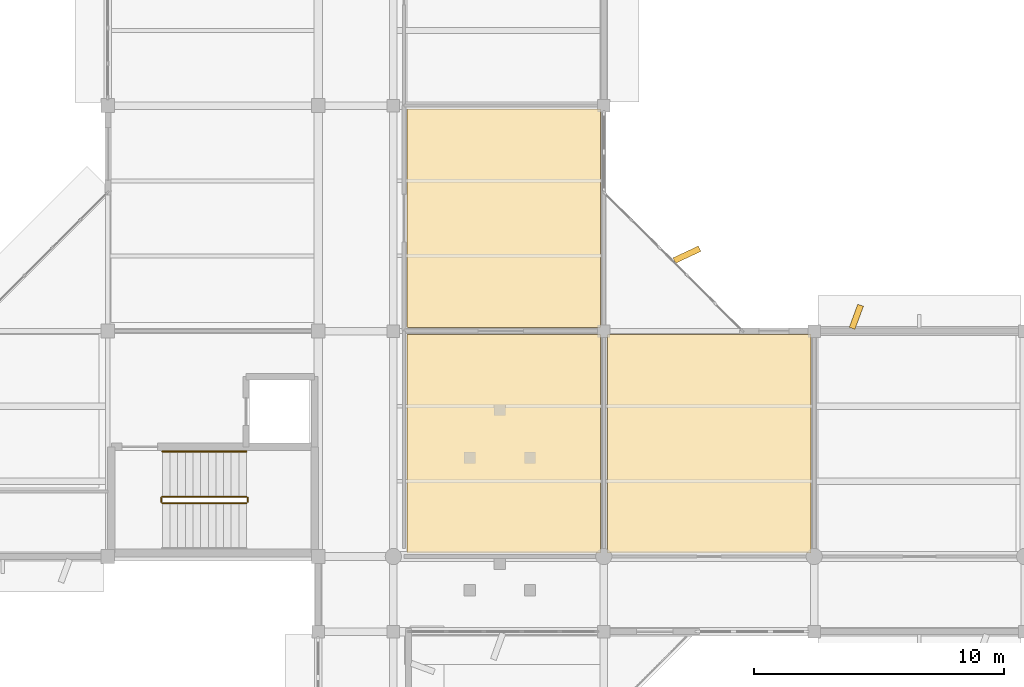
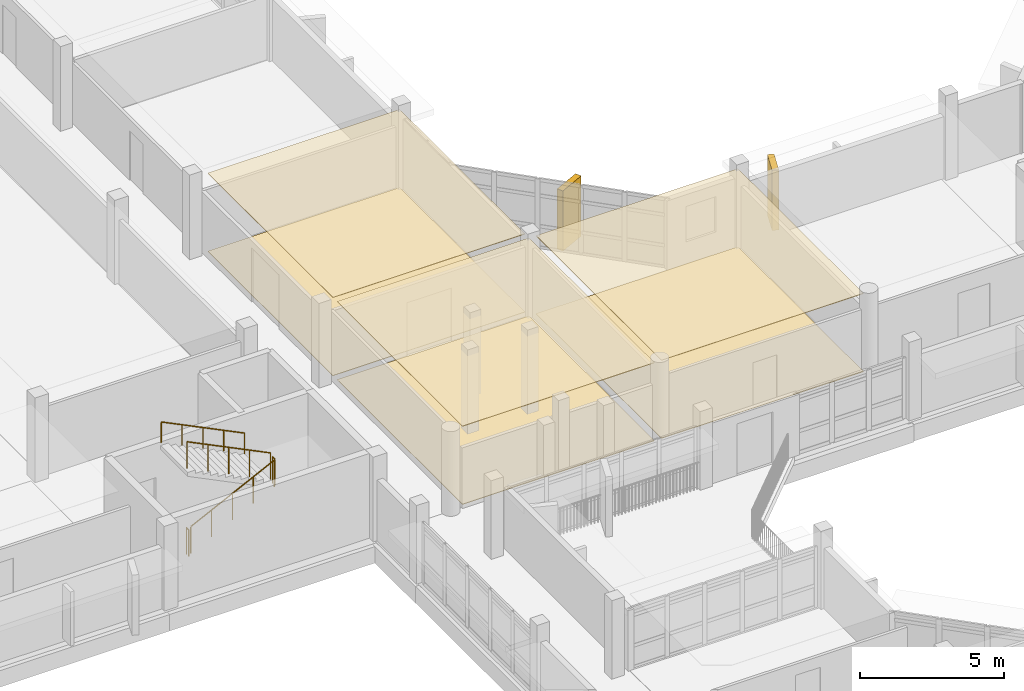
# One storey, part 76 of 92: 8 coverings, 5 railings.
"""IFC4 building model written with IfcOpenShell, lengths in metres."""

from ifc_helpers import new_model, si_unit, direction, frame, origin, origin_2d, place, context, subcontext, project, spatial, polyline, rectangle, circle, outline, extrude, material, layer, layer_set, type_object, element, save


model = new_model("IFC4")

# Units and contexts
model_context = context("Model", 3, precision=1e-05, world=origin(), true_north=direction((0.0, 1.0)))
body_context = subcontext(model_context, "Body", "Model", "MODEL_VIEW")
ifc_project = project(units=[si_unit("LENGTHUNIT", "METRE"), si_unit("AREAUNIT", "SQUARE_METRE"), si_unit("VOLUMEUNIT", "CUBIC_METRE"), si_unit("PLANEANGLEUNIT", "RADIAN"), si_unit("MASSUNIT", "GRAM", prefix="KILO")], contexts=[model_context])

# Site, building, storey
site_placement = place(None, origin())
site = spatial("IfcSite", under=ifc_project, at=site_placement, CompositionType="ELEMENT")
building_placement = place(site_placement, origin())
building = spatial("IfcBuilding", under=site, at=building_placement, Name="Vanh Quang Courtyard School", CompositionType="ELEMENT")
storey_placement = place(building_placement, frame((0.0, 0.0, 7.800048828125)))
storey = spatial("IfcBuildingStorey", under=building, at=storey_placement, Name="L02", CompositionType="ELEMENT", Elevation=7.800048828125)

# Coverings
ifc_material_1 = material(Name="Perforated mineral-fibre acoustic ceiling board")
ifc_layer_1 = layer(ifc_material_1, 0.02490234375)
ifc_layer_set_1 = layer_set([ifc_layer_1], Name="Perforated mineral-fibre acoustic ceiling board")
covering_type_1 = type_object("IfcCoveringType", Name="COV-CEIL-ACOUSTIC", PredefinedType="CEILING", material=ifc_layer_set_1)
covering_1_placement = place(storey_placement, frame((0.0, 0.0, 3.31494140625)))
element("IfcCovering", 1, at=covering_1_placement, inside=storey, type_object=covering_type_1, Name="Covering CV-CL1 (L02)", PredefinedType="CEILING", context=body_context, shape_type="SweptSolid", body=[
    extrude(outline(polyline([(85.659912109375, 41.27001953125), (85.660888671875, 41.27001953125), (85.662109375, 41.269775390625), (85.662841796875, 41.26953125), (85.663818359375, 41.269287109375), (85.664794921875, 41.268798828125), (85.66552734375, 41.268310546875), (85.666259765625, 41.267578125), (85.6669921875, 41.26708984375), (85.667724609375, 41.266357421875), (85.668212890625, 41.265625), (85.668701171875, 41.2646484375), (85.669189453125, 41.263916015625), (85.669677734375, 41.262939453125), (85.669921875, 41.261962890625), (85.669921875, 41.260986328125), (85.669921875, 41.260009765625), (85.669921875, 32.5400390625), (85.669921875, 32.5390625), (85.669921875, 32.5380859375), (85.669677734375, 32.537109375), (85.669189453125, 32.5361328125), (85.668701171875, 32.535400390625), (85.668212890625, 32.534423828125), (85.667724609375, 32.53369140625), (85.6669921875, 32.532958984375), (85.666259765625, 32.5322265625), (85.66552734375, 32.53173828125), (85.664794921875, 32.53125), (85.663818359375, 32.53076171875), (85.662841796875, 32.530517578125), (85.662109375, 32.5302734375), (85.660888671875, 32.530029296875), (85.659912109375, 32.530029296875), (77.9599609375, 32.530029296875), (77.958984375, 32.530029296875), (77.9580078125, 32.5302734375), (77.95703125, 32.530517578125), (77.956298828125, 32.53076171875), (77.955322265625, 32.53125), (77.954345703125, 32.53173828125), (77.95361328125, 32.5322265625), (77.952880859375, 32.532958984375), (77.952392578125, 32.53369140625), (77.95166015625, 32.534423828125), (77.951171875, 32.535400390625), (77.95068359375, 32.5361328125), (77.950439453125, 32.537109375), (77.9501953125, 32.5380859375), (77.949951171875, 32.5390625), (77.949951171875, 32.5400390625), (77.949951171875, 41.260009765625), (77.949951171875, 41.260986328125), (77.9501953125, 41.261962890625), (77.950439453125, 41.262939453125), (77.95068359375, 41.263916015625), (77.951171875, 41.2646484375), (77.95166015625, 41.265625), (77.952392578125, 41.266357421875), (77.952880859375, 41.26708984375), (77.95361328125, 41.267578125), (77.954345703125, 41.268310546875), (77.955322265625, 41.268798828125), (77.956298828125, 41.269287109375), (77.95703125, 41.26953125), (77.9580078125, 41.269775390625), (77.958984375, 41.27001953125), (77.9599609375, 41.27001953125), (85.659912109375, 41.27001953125)])), origin(), (0.0, 0.0, 1.0), 0.02490234375),
])
covering_2_placement = place(storey_placement, frame((0.0, 0.0, 3.31494140625)))
element("IfcCovering", 2, at=covering_2_placement, inside=storey, type_object=covering_type_1, Name="Covering CV-CL1 (L02)", PredefinedType="CEILING", context=body_context, shape_type="SweptSolid", body=[
    extrude(outline(polyline([(77.9599609375, 41.550048828125), (77.958984375, 41.550048828125), (77.9580078125, 41.55029296875), (77.95703125, 41.55029296875), (77.956298828125, 41.55078125), (77.955322265625, 41.55126953125), (77.954345703125, 41.5517578125), (77.95361328125, 41.55224609375), (77.952880859375, 41.552978515625), (77.952392578125, 41.5537109375), (77.95166015625, 41.554443359375), (77.951171875, 41.555419921875), (77.95068359375, 41.55615234375), (77.950439453125, 41.55712890625), (77.9501953125, 41.55810546875), (77.949951171875, 41.55908203125), (77.949951171875, 41.56005859375), (77.949951171875, 50.260009765625), (77.949951171875, 50.260986328125), (77.9501953125, 50.261962890625), (77.950439453125, 50.262939453125), (77.95068359375, 50.263916015625), (77.951171875, 50.2646484375), (77.95166015625, 50.265625), (77.952392578125, 50.266357421875), (77.952880859375, 50.26708984375), (77.95361328125, 50.267578125), (77.954345703125, 50.268310546875), (77.955322265625, 50.268798828125), (77.956298828125, 50.269287109375), (77.95703125, 50.26953125), (77.9580078125, 50.269775390625), (77.958984375, 50.27001953125), (77.9599609375, 50.27001953125), (85.659912109375, 50.27001953125), (85.660888671875, 50.27001953125), (85.662109375, 50.269775390625), (85.662841796875, 50.26953125), (85.663818359375, 50.269287109375), (85.664794921875, 50.268798828125), (85.66552734375, 50.268310546875), (85.666259765625, 50.267578125), (85.6669921875, 50.26708984375), (85.667724609375, 50.266357421875), (85.668212890625, 50.265625), (85.668701171875, 50.2646484375), (85.669189453125, 50.263916015625), (85.669677734375, 50.262939453125), (85.669921875, 50.261962890625), (85.669921875, 50.260986328125), (85.669921875, 50.260009765625), (85.669921875, 41.56005859375), (85.669921875, 41.55908203125), (85.669921875, 41.55810546875), (85.669677734375, 41.55712890625), (85.669189453125, 41.55615234375), (85.668701171875, 41.555419921875), (85.668212890625, 41.554443359375), (85.667724609375, 41.5537109375), (85.6669921875, 41.552978515625), (85.666259765625, 41.55224609375), (85.66552734375, 41.5517578125), (85.664794921875, 41.55126953125), (85.663818359375, 41.55078125), (85.662841796875, 41.55029296875), (85.662109375, 41.55029296875), (85.660888671875, 41.550048828125), (85.659912109375, 41.550048828125), (77.9599609375, 41.550048828125)])), origin(), (0.0, 0.0, 1.0), 0.02490234375),
])
covering_3_placement = place(storey_placement, frame((0.0, 0.0, 3.31494140625)))
element("IfcCovering", 3, at=covering_3_placement, inside=storey, type_object=covering_type_1, Name="Covering CV-CL1 (L02)", PredefinedType="CEILING", context=body_context, shape_type="SweptSolid", body=[
    extrude(outline(polyline([(85.9599609375, 32.530029296875), (85.958984375, 32.530029296875), (85.9580078125, 32.5302734375), (85.95703125, 32.530517578125), (85.956298828125, 32.53076171875), (85.955322265625, 32.53125), (85.954345703125, 32.53173828125), (85.95361328125, 32.5322265625), (85.952880859375, 32.532958984375), (85.952392578125, 32.53369140625), (85.95166015625, 32.534423828125), (85.951171875, 32.535400390625), (85.95068359375, 32.5361328125), (85.950439453125, 32.537109375), (85.9501953125, 32.5380859375), (85.949951171875, 32.5390625), (85.949951171875, 32.5400390625), (85.949951171875, 41.260009765625), (85.949951171875, 41.260986328125), (85.9501953125, 41.261962890625), (85.950439453125, 41.262939453125), (85.95068359375, 41.263916015625), (85.951171875, 41.2646484375), (85.95166015625, 41.265625), (85.952392578125, 41.266357421875), (85.952880859375, 41.26708984375), (85.95361328125, 41.267578125), (85.954345703125, 41.268310546875), (85.955322265625, 41.268798828125), (85.956298828125, 41.269287109375), (85.95703125, 41.26953125), (85.9580078125, 41.269775390625), (85.958984375, 41.27001953125), (85.9599609375, 41.27001953125), (94.06005859375, 41.27001953125), (94.06103515625, 41.27001953125), (94.06201171875, 41.269775390625), (94.06298828125, 41.26953125), (94.063720703125, 41.269287109375), (94.064697265625, 41.268798828125), (94.065673828125, 41.268310546875), (94.06640625, 41.267578125), (94.067138671875, 41.26708984375), (94.067626953125, 41.266357421875), (94.068359375, 41.265625), (94.06884765625, 41.2646484375), (94.069091796875, 41.263916015625), (94.069580078125, 41.262939453125), (94.06982421875, 41.261962890625), (94.070068359375, 41.260986328125), (94.070068359375, 41.260009765625), (94.070068359375, 32.5400390625), (94.070068359375, 32.5390625), (94.06982421875, 32.5380859375), (94.069580078125, 32.537109375), (94.069091796875, 32.5361328125), (94.06884765625, 32.535400390625), (94.068359375, 32.534423828125), (94.067626953125, 32.53369140625), (94.067138671875, 32.532958984375), (94.06640625, 32.5322265625), (94.065673828125, 32.53173828125), (94.064697265625, 32.53125), (94.063720703125, 32.53076171875), (94.06298828125, 32.530517578125), (94.06201171875, 32.5302734375), (94.06103515625, 32.530029296875), (94.06005859375, 32.530029296875), (85.9599609375, 32.530029296875)])), origin(), (0.0, 0.0, 1.0), 0.02490234375),
])
ifc_material_2 = material(Name="Polished cementitious terrazzo tile", Category="concrete")
ifc_layer_2 = layer(ifc_material_2, 0.02001953125)
ifc_layer_set_2 = layer_set([ifc_layer_2], Name="Polished cementitious terrazzo tile")
covering_type_2 = type_object("IfcCoveringType", Name="COV-FLR-TERRAZZO", PredefinedType="FLOORING", material=ifc_layer_set_2)
covering_4_placement = place(storey_placement, origin())
element("IfcCovering", 4, at=covering_4_placement, inside=storey, type_object=covering_type_2, Name="Covering CV-FL1 (L02)", PredefinedType="FLOORING", context=body_context, shape_type="SweptSolid", body=[
    extrude(outline(polyline([(85.659912109375, 41.27001953125), (85.660888671875, 41.27001953125), (85.662109375, 41.269775390625), (85.662841796875, 41.26953125), (85.663818359375, 41.269287109375), (85.664794921875, 41.268798828125), (85.66552734375, 41.268310546875), (85.666259765625, 41.267578125), (85.6669921875, 41.26708984375), (85.667724609375, 41.266357421875), (85.668212890625, 41.265625), (85.668701171875, 41.2646484375), (85.669189453125, 41.263916015625), (85.669677734375, 41.262939453125), (85.669921875, 41.261962890625), (85.669921875, 41.260986328125), (85.669921875, 41.260009765625), (85.669921875, 32.5400390625), (85.669921875, 32.5390625), (85.669921875, 32.5380859375), (85.669677734375, 32.537109375), (85.669189453125, 32.5361328125), (85.668701171875, 32.535400390625), (85.668212890625, 32.534423828125), (85.667724609375, 32.53369140625), (85.6669921875, 32.532958984375), (85.666259765625, 32.5322265625), (85.66552734375, 32.53173828125), (85.664794921875, 32.53125), (85.663818359375, 32.53076171875), (85.662841796875, 32.530517578125), (85.662109375, 32.5302734375), (85.660888671875, 32.530029296875), (85.659912109375, 32.530029296875), (77.9599609375, 32.530029296875), (77.958984375, 32.530029296875), (77.9580078125, 32.5302734375), (77.95703125, 32.530517578125), (77.956298828125, 32.53076171875), (77.955322265625, 32.53125), (77.954345703125, 32.53173828125), (77.95361328125, 32.5322265625), (77.952880859375, 32.532958984375), (77.952392578125, 32.53369140625), (77.95166015625, 32.534423828125), (77.951171875, 32.535400390625), (77.95068359375, 32.5361328125), (77.950439453125, 32.537109375), (77.9501953125, 32.5380859375), (77.949951171875, 32.5390625), (77.949951171875, 32.5400390625), (77.949951171875, 41.260009765625), (77.949951171875, 41.260986328125), (77.9501953125, 41.261962890625), (77.950439453125, 41.262939453125), (77.95068359375, 41.263916015625), (77.951171875, 41.2646484375), (77.95166015625, 41.265625), (77.952392578125, 41.266357421875), (77.952880859375, 41.26708984375), (77.95361328125, 41.267578125), (77.954345703125, 41.268310546875), (77.955322265625, 41.268798828125), (77.956298828125, 41.269287109375), (77.95703125, 41.26953125), (77.9580078125, 41.269775390625), (77.958984375, 41.27001953125), (77.9599609375, 41.27001953125), (85.659912109375, 41.27001953125)])), origin(), (0.0, 0.0, 1.0), 0.02001953125),
])
covering_5_placement = place(storey_placement, origin())
element("IfcCovering", 5, at=covering_5_placement, inside=storey, type_object=covering_type_2, Name="Covering CV-FL1 (L02)", PredefinedType="FLOORING", context=body_context, shape_type="SweptSolid", body=[
    extrude(outline(polyline([(77.9599609375, 41.550048828125), (77.958984375, 41.550048828125), (77.9580078125, 41.55029296875), (77.95703125, 41.55029296875), (77.956298828125, 41.55078125), (77.955322265625, 41.55126953125), (77.954345703125, 41.5517578125), (77.95361328125, 41.55224609375), (77.952880859375, 41.552978515625), (77.952392578125, 41.5537109375), (77.95166015625, 41.554443359375), (77.951171875, 41.555419921875), (77.95068359375, 41.55615234375), (77.950439453125, 41.55712890625), (77.9501953125, 41.55810546875), (77.949951171875, 41.55908203125), (77.949951171875, 41.56005859375), (77.949951171875, 50.260009765625), (77.949951171875, 50.260986328125), (77.9501953125, 50.261962890625), (77.950439453125, 50.262939453125), (77.95068359375, 50.263916015625), (77.951171875, 50.2646484375), (77.95166015625, 50.265625), (77.952392578125, 50.266357421875), (77.952880859375, 50.26708984375), (77.95361328125, 50.267578125), (77.954345703125, 50.268310546875), (77.955322265625, 50.268798828125), (77.956298828125, 50.269287109375), (77.95703125, 50.26953125), (77.9580078125, 50.269775390625), (77.958984375, 50.27001953125), (77.9599609375, 50.27001953125), (85.659912109375, 50.27001953125), (85.660888671875, 50.27001953125), (85.662109375, 50.269775390625), (85.662841796875, 50.26953125), (85.663818359375, 50.269287109375), (85.664794921875, 50.268798828125), (85.66552734375, 50.268310546875), (85.666259765625, 50.267578125), (85.6669921875, 50.26708984375), (85.667724609375, 50.266357421875), (85.668212890625, 50.265625), (85.668701171875, 50.2646484375), (85.669189453125, 50.263916015625), (85.669677734375, 50.262939453125), (85.669921875, 50.261962890625), (85.669921875, 50.260986328125), (85.669921875, 50.260009765625), (85.669921875, 41.56005859375), (85.669921875, 41.55908203125), (85.669921875, 41.55810546875), (85.669677734375, 41.55712890625), (85.669189453125, 41.55615234375), (85.668701171875, 41.555419921875), (85.668212890625, 41.554443359375), (85.667724609375, 41.5537109375), (85.6669921875, 41.552978515625), (85.666259765625, 41.55224609375), (85.66552734375, 41.5517578125), (85.664794921875, 41.55126953125), (85.663818359375, 41.55078125), (85.662841796875, 41.55029296875), (85.662109375, 41.55029296875), (85.660888671875, 41.550048828125), (85.659912109375, 41.550048828125), (77.9599609375, 41.550048828125)])), origin(), (0.0, 0.0, 1.0), 0.02001953125),
])
covering_6_placement = place(storey_placement, origin())
element("IfcCovering", 6, at=covering_6_placement, inside=storey, type_object=covering_type_2, Name="Covering CV-FL1 (L02)", PredefinedType="FLOORING", context=body_context, shape_type="SweptSolid", body=[
    extrude(outline(polyline([(85.9599609375, 32.530029296875), (85.958984375, 32.530029296875), (85.9580078125, 32.5302734375), (85.95703125, 32.530517578125), (85.956298828125, 32.53076171875), (85.955322265625, 32.53125), (85.954345703125, 32.53173828125), (85.95361328125, 32.5322265625), (85.952880859375, 32.532958984375), (85.952392578125, 32.53369140625), (85.95166015625, 32.534423828125), (85.951171875, 32.535400390625), (85.95068359375, 32.5361328125), (85.950439453125, 32.537109375), (85.9501953125, 32.5380859375), (85.949951171875, 32.5390625), (85.949951171875, 32.5400390625), (85.949951171875, 41.260009765625), (85.949951171875, 41.260986328125), (85.9501953125, 41.261962890625), (85.950439453125, 41.262939453125), (85.95068359375, 41.263916015625), (85.951171875, 41.2646484375), (85.95166015625, 41.265625), (85.952392578125, 41.266357421875), (85.952880859375, 41.26708984375), (85.95361328125, 41.267578125), (85.954345703125, 41.268310546875), (85.955322265625, 41.268798828125), (85.956298828125, 41.269287109375), (85.95703125, 41.26953125), (85.9580078125, 41.269775390625), (85.958984375, 41.27001953125), (85.9599609375, 41.27001953125), (94.06005859375, 41.27001953125), (94.06103515625, 41.27001953125), (94.06201171875, 41.269775390625), (94.06298828125, 41.26953125), (94.063720703125, 41.269287109375), (94.064697265625, 41.268798828125), (94.065673828125, 41.268310546875), (94.06640625, 41.267578125), (94.067138671875, 41.26708984375), (94.067626953125, 41.266357421875), (94.068359375, 41.265625), (94.06884765625, 41.2646484375), (94.069091796875, 41.263916015625), (94.069580078125, 41.262939453125), (94.06982421875, 41.261962890625), (94.070068359375, 41.260986328125), (94.070068359375, 41.260009765625), (94.070068359375, 32.5400390625), (94.070068359375, 32.5390625), (94.06982421875, 32.5380859375), (94.069580078125, 32.537109375), (94.069091796875, 32.5361328125), (94.06884765625, 32.535400390625), (94.068359375, 32.534423828125), (94.067626953125, 32.53369140625), (94.067138671875, 32.532958984375), (94.06640625, 32.5322265625), (94.065673828125, 32.53173828125), (94.064697265625, 32.53125), (94.063720703125, 32.53076171875), (94.06298828125, 32.530517578125), (94.06201171875, 32.5302734375), (94.06103515625, 32.530029296875), (94.06005859375, 32.530029296875), (85.9599609375, 32.530029296875)])), origin(), (0.0, 0.0, 1.0), 0.02001953125),
])
ifc_material_3 = material(Name="Board-marked precast concrete C40/50", Category="concrete")
ifc_layer_3 = layer(ifc_material_3, 0.239990234375)
ifc_layer_set_3 = layer_set([ifc_layer_3], Name="Board-marked precast concrete C40/50")
covering_type_3 = type_object("IfcCoveringType", Name="COV-HOOD-CONC", PredefinedType="CLADDING", material=ifc_layer_set_3)
covering_7_placement = place(storey_placement, frame((89.1201171875, 44.451416015625, 0.0), z_axis=(0.0, 0.0, 1.0), x_axis=(0.905494748453, 0.424357467855, 0.0)))
element("IfcCovering", 7, at=covering_7_placement, inside=storey, type_object=covering_type_3, Name="Covering CH-01 (L02)", PredefinedType="CLADDING", context=body_context, shape_type="SweptSolid", body=[
    extrude(rectangle(XDim=1.11669921875, YDim=0.239990234375, at=origin_2d()), origin(), (0.0, 0.0, 1.0), 2.56005859375),
])
covering_8_placement = place(storey_placement, frame((95.882568359375, 41.969970703125, 0.0), z_axis=(0.0, 0.0, 1.0), x_axis=(0.346608245445, 0.938009980858, 0.0)))
element("IfcCovering", 8, at=covering_8_placement, inside=storey, type_object=covering_type_3, Name="Covering CH-01 (L02)", PredefinedType="CLADDING", context=body_context, shape_type="SweptSolid", body=[
    extrude(rectangle(XDim=0.980712890625, YDim=0.239990234375, at=origin_2d()), origin(), (0.0, 0.0, 1.0), 2.56005859375),
])

# Railings
ifc_material_4 = material(Name="Galvanised painted steel EN 10025-2 S355J2", Category="steel")
railing_type_1 = type_object("IfcRailingType", Name="RAIL-GUARD-1150", PredefinedType="BALUSTRADE", material=ifc_material_4)
railing_1_placement = place(storey_placement, frame((68.179931640625, 34.530029296875, 0.14990234375)))
element("IfcRailing", 9, at=railing_1_placement, inside=storey, type_object=railing_type_1, Name="L02 ST-04 stair guard 1", PredefinedType="BALUSTRADE", context=body_context, shape_type="SweptSolid", body=[
    extrude(circle(Radius=0.02392578125, at=origin_2d()), frame((0.0, 0.0, 1.1259765625), z_axis=(0.89733343241, 0.0, 0.441353272424), x_axis=(0.0, 1.0, 0.0)), (0.0, 0.0, 1.0), 3.73876953125),
    extrude(circle(Radius=0.02099609375, at=origin_2d()), origin(), (0.0, 0.0, 1.0), 1.101806640625),
    extrude(circle(Radius=0.02099609375, at=origin_2d()), frame((0.8388671875, 0.0, 0.41259765625)), (0.0, 0.0, 1.0), 1.101806640625),
    extrude(circle(Radius=0.02099609375, at=origin_2d()), frame((1.677490234375, 0.0, 0.8251953125)), (0.0, 0.0, 1.0), 1.101806640625),
    extrude(circle(Radius=0.02099609375, at=origin_2d()), frame((2.51611328125, 0.0, 1.237548828125)), (0.0, 0.0, 1.0), 1.101806640625),
    extrude(circle(Radius=0.02099609375, at=origin_2d()), frame((3.35498046875, 0.0, 1.650146484375)), (0.0, 0.0, 1.0), 1.101806640625),
])
railing_2_placement = place(storey_placement, frame((71.5849609375, 34.580078125, 1.800048828125)))
element("IfcRailing", 10, at=railing_2_placement, inside=storey, type_object=railing_type_1, Name="L02 ST-04 stair guard 2", PredefinedType="BALUSTRADE", context=body_context, shape_type="SweptSolid", body=[
    extrude(circle(Radius=0.02392578125, at=origin_2d()), frame((0.0, 0.0, 1.1259765625), z_axis=(0.0, 1.0, 0.0), x_axis=(-1.0, 0.0, 0.0)), (0.0, 0.0, 1.0), 0.159912109375),
    extrude(circle(Radius=0.02099609375, at=origin_2d()), origin(), (0.0, 0.0, 1.0), 1.101806640625),
    extrude(circle(Radius=0.02099609375, at=origin_2d()), frame((0.0, 0.159912109375, 0.0)), (0.0, 0.0, 1.0), 1.101806640625),
])
railing_3_placement = place(storey_placement, frame((71.534912109375, 34.7900390625, 1.949951171875)))
element("IfcRailing", 11, at=railing_3_placement, inside=storey, type_object=railing_type_1, Name="L02 ST-04 stair guard 3", PredefinedType="BALUSTRADE", context=body_context, shape_type="SweptSolid", body=[
    extrude(circle(Radius=0.02392578125, at=origin_2d()), frame((0.0, 0.0, 1.1259765625), z_axis=(-0.897359292542, 0.0, 0.441300691239), x_axis=(0.0, -1.0, 0.0)), (0.0, 0.0, 1.0), 3.73876953125),
    extrude(circle(Radius=0.02099609375, at=origin_2d()), origin(), (0.0, 0.0, 1.0), 1.101806640625),
    extrude(circle(Radius=0.02099609375, at=origin_2d()), frame((-0.8388671875, 0.0, 0.41259765625)), (0.0, 0.0, 1.0), 1.101806640625),
    extrude(circle(Radius=0.02099609375, at=origin_2d()), frame((-1.677490234375, 0.0, 0.824951171875)), (0.0, 0.0, 1.0), 1.101806640625),
    extrude(circle(Radius=0.02099609375, at=origin_2d()), frame((-2.51611328125, 0.0, 1.2373046875)), (0.0, 0.0, 1.0), 1.101806640625),
    extrude(circle(Radius=0.02099609375, at=origin_2d()), frame((-3.35498046875, 0.0, 1.64990234375)), (0.0, 0.0, 1.0), 1.101806640625),
])
railing_4_placement = place(storey_placement, frame((68.1298828125, 34.580078125, 0.0)))
element("IfcRailing", 12, at=railing_4_placement, inside=storey, type_object=railing_type_1, Name="L02 ST-04 stair guard 4", PredefinedType="BALUSTRADE", context=body_context, shape_type="SweptSolid", body=[
    extrude(circle(Radius=0.02392578125, at=origin_2d()), frame((0.0, 0.0, 1.1259765625), z_axis=(0.0, 1.0, 0.0), x_axis=(-1.0, 0.0, 0.0)), (0.0, 0.0, 1.0), 0.159912109375),
    extrude(circle(Radius=0.02099609375, at=origin_2d()), origin(), (0.0, 0.0, 1.0), 1.101806640625),
    extrude(circle(Radius=0.02099609375, at=origin_2d()), frame((0.0, 0.159912109375, 0.0)), (0.0, 0.0, 1.0), 1.101806640625),
])
ifc_material_5 = material(Name="Brushed stainless steel", Category="steel")
railing_type_2 = type_object("IfcRailingType", Name="RAIL-HAND-900", PredefinedType="HANDRAIL", material=ifc_material_5)
railing_5_placement = place(storey_placement, frame((71.534912109375, 36.590087890625, 1.949951171875)))
element("IfcRailing", 13, at=railing_5_placement, inside=storey, type_object=railing_type_2, Name="L02 ST-04 stair handrail 2", PredefinedType="HANDRAIL", context=body_context, shape_type="SweptSolid", body=[
    extrude(circle(Radius=0.02392578125, at=origin_2d()), frame((0.0, 0.0, 0.8759765625), z_axis=(-0.897359292542, 0.0, 0.441300691239), x_axis=(0.0, -1.0, 0.0)), (0.0, 0.0, 1.0), 3.73876953125),
    extrude(circle(Radius=0.02099609375, at=origin_2d()), origin(), (0.0, 0.0, 1.0), 0.851806640625),
    extrude(circle(Radius=0.02099609375, at=origin_2d()), frame((-0.8388671875, 0.0, 0.41259765625)), (0.0, 0.0, 1.0), 0.851806640625),
    extrude(circle(Radius=0.02099609375, at=origin_2d()), frame((-1.677490234375, 0.0, 0.824951171875)), (0.0, 0.0, 1.0), 0.851806640625),
    extrude(circle(Radius=0.02099609375, at=origin_2d()), frame((-2.51611328125, 0.0, 1.2373046875)), (0.0, 0.0, 1.0), 0.851806640625),
    extrude(circle(Radius=0.02099609375, at=origin_2d()), frame((-3.35498046875, 0.0, 1.64990234375)), (0.0, 0.0, 1.0), 0.851806640625),
])

save(model, "model.ifc")
